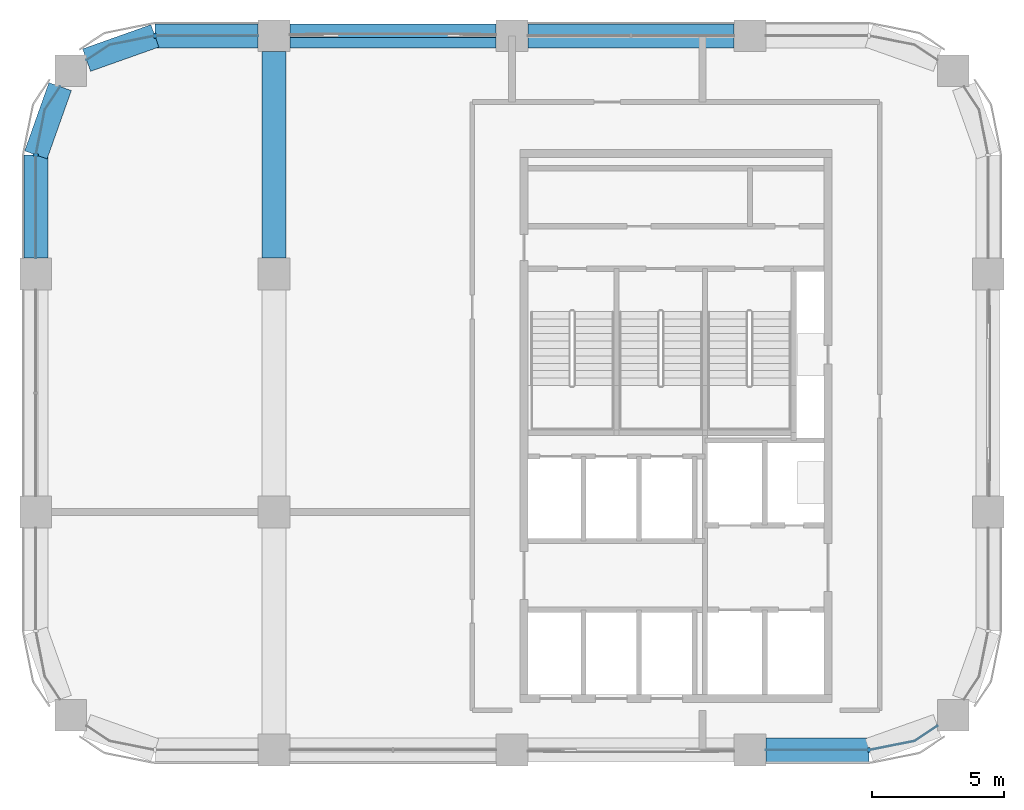
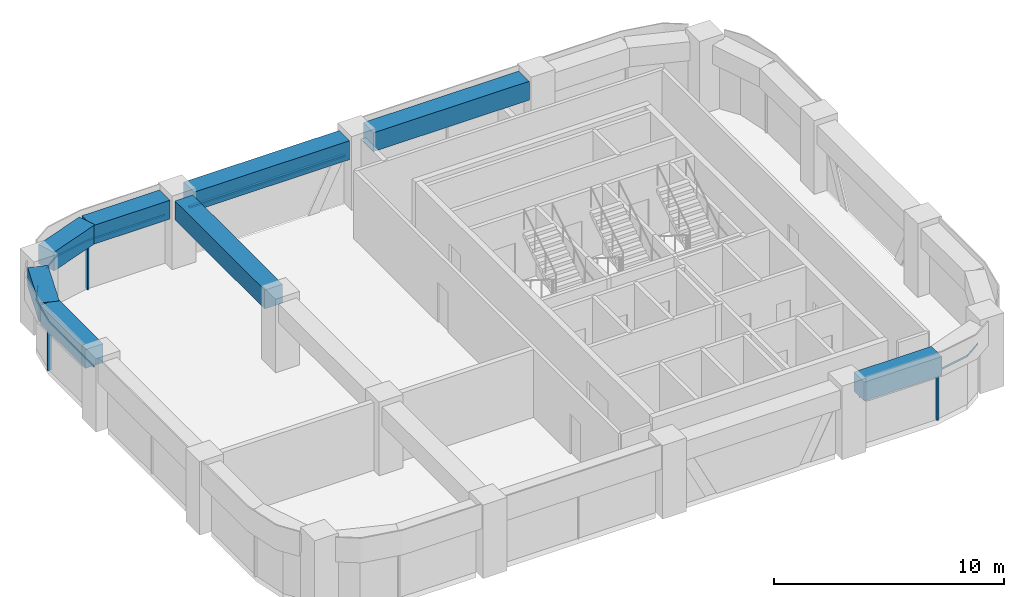
# One storey, part 3 of 9: 8 beams, 7 members, 4 elements without a shape of their own.
"""IFC4 building model written with IfcOpenShell, lengths in metres."""

from ifc_helpers import new_model, si_unit, direction, frame, origin, origin_2d, place, context, subcontext, project, spatial, polyline, rectangle, outline, extrude, material, material_profile, profile_set, type_object, element, aggregate, save


model = new_model("IFC4")

# Units and contexts
model_context = context("Model", 3, precision=1e-05, world=origin(), true_north=direction((0.0, 1.0)))
body_context = subcontext(model_context, "Body", "Model", "MODEL_VIEW")
ifc_project = project(units=[si_unit("LENGTHUNIT", "METRE"), si_unit("AREAUNIT", "SQUARE_METRE"), si_unit("VOLUMEUNIT", "CUBIC_METRE"), si_unit("PLANEANGLEUNIT", "RADIAN"), si_unit("MASSUNIT", "GRAM", prefix="KILO")], contexts=[model_context])

# Site, building, storey
site_placement = place(None, origin())
site = spatial("IfcSite", under=ifc_project, at=site_placement, CompositionType="ELEMENT")
building_placement = place(site_placement, origin())
building = spatial("IfcBuilding", under=site, at=building_placement, Name="Tessera Arch", CompositionType="ELEMENT")
storey_placement = place(building_placement, frame((0.0, 0.0, 312.89990234375)))
storey = spatial("IfcBuildingStorey", under=building, at=storey_placement, Name="L75", CompositionType="ELEMENT", Elevation=312.89990234375)

# Curtain wall, member
ifc_material_1 = material(Name="CW2 curtain wall")
curtain_wall_type_1 = type_object("IfcCurtainWallType", Name="CW2 curtain wall", PredefinedType="NOTDEFINED", material=ifc_material_1)
curtain_wall_1_placement = place(storey_placement, origin())
curtain_wall_1 = element("IfcCurtainWall", 1, at=curtain_wall_1_placement, inside=storey, type_object=curtain_wall_type_1, Name="CW2 curtain wall N54.18/3 L75", PredefinedType="NOTDEFINED")
ifc_material_2 = material(Name="Anodised aluminium pale metal", Category="aluminium")
ifc_material_profile_1 = material_profile(ifc_material_2, rectangle(XDim=0.199951171875, YDim=0.080078125, at=origin_2d()), Name="AL 80x200")
ifc_profile_set_1 = profile_set([ifc_material_profile_1], Name="Anodised aluminium pale metal")
member_type_1 = type_object("IfcMemberType", Name="CW2 mullion", PredefinedType="MULLION", material=ifc_profile_set_1)
member_1_placement = place(storey_placement, frame((22.5, 54.0, 0.0), z_axis=(0.0, 0.0, 1.0), x_axis=(0.0, -1.0, 0.0)))
member_1 = element("IfcMember", 2, at=member_1_placement, type_object=member_type_1, Name="CW2 mullion N54.18/3 1", PredefinedType="MULLION", context=body_context, shape_type="SweptSolid", body=[
    extrude(rectangle(XDim=0.199951171875, YDim=0.080078125, at=origin_2d()), origin(), (0.0, 0.0, 1.0), 2.5),
])

curtain_wall_2_placement = place(storey_placement, origin())
curtain_wall_2 = element("IfcCurtainWall", 3, at=curtain_wall_2_placement, inside=storey, type_object=curtain_wall_type_1, Name="CW2 curtain wall W18.27/0 L75", PredefinedType="NOTDEFINED")
member_2_placement = place(storey_placement, frame((18.0, 49.5, 0.0), z_axis=(0.0, 0.0, 1.0), x_axis=(1.0, 0.0, 0.0)))
member_2 = element("IfcMember", 4, at=member_2_placement, type_object=member_type_1, Name="CW2 mullion W18.27/0 1", PredefinedType="MULLION", context=body_context, shape_type="SweptSolid", body=[
    extrude(rectangle(XDim=0.199951171875, YDim=0.080078125, at=origin_2d()), origin(), (0.0, 0.0, 1.0), 2.5),
])

curtain_wall_3_placement = place(storey_placement, origin())
curtain_wall_3 = element("IfcCurtainWall", 5, at=curtain_wall_3_placement, inside=storey, type_object=curtain_wall_type_1, Name="CW2 curtain wall S27.18/3 L75", PredefinedType="NOTDEFINED")
member_3_placement = place(storey_placement, frame((49.5, 27.0, 0.0), z_axis=(0.0, 0.0, 1.0), x_axis=(0.0, 1.0, 0.0)))
member_3 = element("IfcMember", 6, at=member_3_placement, type_object=member_type_1, Name="CW2 mullion S27.18/3 1", PredefinedType="MULLION", context=body_context, shape_type="SweptSolid", body=[
    extrude(rectangle(XDim=0.199951171875, YDim=0.080078125, at=origin_2d()), origin(), (0.0, 0.0, 1.0), 2.5),
])

# Member
ifc_material_3 = material(Name="Anodised aluminium pale metal", Category="aluminium")
ifc_material_profile_2 = material_profile(ifc_material_3, rectangle(XDim=0.199951171875, YDim=0.10009765625, at=origin_2d()), Name="AL 200x100")
ifc_profile_set_2 = profile_set([ifc_material_profile_2], Name="Anodised aluminium pale metal")
member_type_2 = type_object("IfcMemberType", Name="CW2 transom", PredefinedType="USERDEFINED", material=ifc_profile_set_2)
member_4_placement = place(storey_placement, frame((0.0, 0.0, 2.5)))
member_4 = element("IfcMember", 7, at=member_4_placement, type_object=member_type_2, Name="CW2 transom N54.18/3 1", ObjectType="TRANSOM", PredefinedType="USERDEFINED", context=body_context, shape_type="SweptSolid", body=[
    extrude(outline(polyline([(22.5009765625, 53.989990234375), (26.39990234375, 53.989990234375), (26.39990234375, 54.010009765625), (22.4990234375, 54.010009765625), (20.77392578125, 53.6669921875), (19.912353515625, 53.09130859375), (19.923583984375, 53.07470703125), (20.78173828125, 53.648193359375), (22.5009765625, 53.989990234375)])), origin(), (0.0, 0.0, 1.0), 0.10009765625),
])

aggregate(curtain_wall_1, [member_1, member_4])

member_5_placement = place(storey_placement, frame((0.0, 0.0, 2.5)))
member_5 = element("IfcMember", 8, at=member_5_placement, type_object=member_type_2, Name="CW2 transom W18.27/0 1", ObjectType="TRANSOM", PredefinedType="USERDEFINED", context=body_context, shape_type="SweptSolid", body=[
    extrude(outline(polyline([(18.351806640625, 51.21826171875), (18.92529296875, 52.076416015625), (18.90869140625, 52.087646484375), (18.3330078125, 51.22607421875), (17.989990234375, 49.5009765625), (17.989990234375, 45.60009765625), (18.010009765625, 45.60009765625), (18.010009765625, 49.4990234375), (18.351806640625, 51.21826171875)])), origin(), (0.0, 0.0, 1.0), 0.10009765625),
])

aggregate(curtain_wall_2, [member_2, member_5])

member_6_placement = place(storey_placement, frame((0.0, 0.0, 2.5)))
member_6 = element("IfcMember", 9, at=member_6_placement, type_object=member_type_2, Name="CW2 transom S27.18/3 1", ObjectType="TRANSOM", PredefinedType="USERDEFINED", context=body_context, shape_type="SweptSolid", body=[
    extrude(outline(polyline([(49.4990234375, 27.010009765625), (45.60009765625, 27.010009765625), (45.60009765625, 26.989990234375), (49.5009765625, 26.989990234375), (51.22607421875, 27.3330078125), (52.087646484375, 27.90869140625), (52.076416015625, 27.92529296875), (51.21826171875, 27.351806640625), (49.4990234375, 27.010009765625)])), origin(), (0.0, 0.0, 1.0), 0.10009765625),
])

aggregate(curtain_wall_3, [member_3, member_6])

# Curtain wall, member
ifc_material_4 = material(Name="CW3 curtain wall")
curtain_wall_type_2 = type_object("IfcCurtainWallType", Name="CW3 curtain wall", PredefinedType="NOTDEFINED", material=ifc_material_4)
curtain_wall_4_placement = place(storey_placement, origin())
curtain_wall_4 = element("IfcCurtainWall", 10, at=curtain_wall_4_placement, inside=storey, type_object=curtain_wall_type_2, Name="CW3 curtain wall N54.18/2 L75", PredefinedType="NOTDEFINED")
ifc_material_5 = material(Name="Anodised aluminium pale metal", Category="aluminium")
ifc_material_profile_3 = material_profile(ifc_material_5, rectangle(XDim=0.139892578125, YDim=0.10009765625, at=origin_2d()), Name="AL 140x100")
ifc_profile_set_3 = profile_set([ifc_material_profile_3], Name="Anodised aluminium pale metal")
member_type_3 = type_object("IfcMemberType", Name="CW3 transom", PredefinedType="USERDEFINED", material=ifc_profile_set_3)
member_7_placement = place(storey_placement, frame((35.39990234375, 54.0, 2.550048828125), z_axis=(-1.0, 0.0, 0.0), x_axis=(0.0, -1.0, 0.0)))
member_7 = element("IfcMember", 11, at=member_7_placement, type_object=member_type_3, Name="CW3 transom N54.18/2 1.1", ObjectType="TRANSOM", PredefinedType="USERDEFINED", context=body_context, shape_type="SweptSolid", body=[
    extrude(rectangle(XDim=0.139892578125, YDim=0.10009765625, at=origin_2d()), origin(), (0.0, 0.0, 1.0), 7.7998046875),
])
aggregate(curtain_wall_4, [member_7])

# Beams
ifc_material_6 = material(Name="Concrete C60/75", Category="concrete")
ifc_material_profile_4 = material_profile(ifc_material_6, rectangle(XDim=0.89990234375, YDim=1.0, at=origin_2d()), Name="RC spandrel beam 900 x 1000 Concrete C60/75")
ifc_profile_set_4 = profile_set([ifc_material_profile_4], Name="Concrete C60/75")
beam_type = type_object("IfcBeamType", Name="RC spandrel beam 900 x 1000 Concrete C60/75", PredefinedType="BEAM", material=ifc_profile_set_4)
for number, where, z_axis, x_axis, name in (
    (12, (44.39990234375, 54.0, 3.10009765625), (-1.0, 0.0, 0.0), (0.0, -1.0, 0.0), "Spandrel beam L75 N54.18/1"),
    (13, (35.39990234375, 54.0, 3.10009765625), (-1.0, 0.0, 0.0), (0.0, -1.0, 0.0), "Spandrel beam L75 N54.18/2"),
):
    element("IfcBeam", number, at=place(storey_placement, frame(where, z_axis=z_axis, x_axis=x_axis)), inside=storey, type_object=beam_type, Name=name, PredefinedType="BEAM", context=body_context, shape_type="SweptSolid", body=[
        extrude(rectangle(XDim=0.89990234375, YDim=1.0, at=origin_2d()), origin(), (0.0, 0.0, 1.0), 7.7998046875),
    ])
beam_1_placement = place(storey_placement, frame((26.39990234375, 54.0, 3.10009765625), z_axis=(-1.0, 0.0, 0.0), x_axis=(0.0, -1.0, 0.0)))
element("IfcBeam", 14, at=beam_1_placement, inside=storey, type_object=beam_type, Name="Spandrel beam L75 N54.18/3.1", PredefinedType="BEAM", context=body_context, shape_type="SweptSolid", body=[
    extrude(rectangle(XDim=0.89990234375, YDim=1.0, at=origin_2d()), origin(), (0.0, 0.0, 1.0), 3.89990234375),
])
for number, where, z_axis, x_axis, name in (
    (15, (22.5, 54.0, 3.10009765625), (-0.942337127159, -0.334665114373, 0.0), (0.334665114373, -0.942337127159, 0.0), "Spandrel beam L75 N54.18/3.2"),
    (16, (18.9169921875, 52.08203125, 3.10009765625), (-0.334665114373, -0.942337127159, 0.0), (0.942337127159, -0.334665114373, 0.0), "Spandrel beam L75 W18.27/0.1"),
):
    element("IfcBeam", number, at=place(storey_placement, frame(where, z_axis=z_axis, x_axis=x_axis)), inside=storey, type_object=beam_type, Name=name, PredefinedType="BEAM", context=body_context, shape_type="SweptSolid", body=[
        extrude(rectangle(XDim=0.89990234375, YDim=1.0, at=origin_2d()), origin(), (0.0, 0.0, 1.0), 2.739990234375),
    ])
for number, where, z_axis, x_axis, name in (
    (17, (18.0, 49.5, 3.10009765625), (0.0, -1.0, 0.0), (1.0, 0.0, 0.0), "Spandrel beam L75 W18.27/0.2"),
    (18, (45.60009765625, 27.0, 3.10009765625), (1.0, 0.0, 0.0), (0.0, 1.0, 0.0), "Spandrel beam L75 S27.18/3.1"),
):
    element("IfcBeam", number, at=place(storey_placement, frame(where, z_axis=z_axis, x_axis=x_axis)), inside=storey, type_object=beam_type, Name=name, PredefinedType="BEAM", context=body_context, shape_type="SweptSolid", body=[
        extrude(rectangle(XDim=0.89990234375, YDim=1.0, at=origin_2d()), origin(), (0.0, 0.0, 1.0), 3.89990234375),
    ])
beam_2_placement = place(storey_placement, frame((27.0, 45.60009765625, 3.10009765625), z_axis=(0.0, 1.0, 0.0), x_axis=(-1.0, 0.0, 0.0)))
element("IfcBeam", 19, at=beam_2_placement, inside=storey, type_object=beam_type, Name="Interface beam L75 I0C4F-C4G", PredefinedType="BEAM", context=body_context, shape_type="SweptSolid", body=[
    extrude(rectangle(XDim=0.89990234375, YDim=1.0, at=origin_2d()), origin(), (0.0, 0.0, 1.0), 7.7998046875),
])

save(model, "model.ifc")
